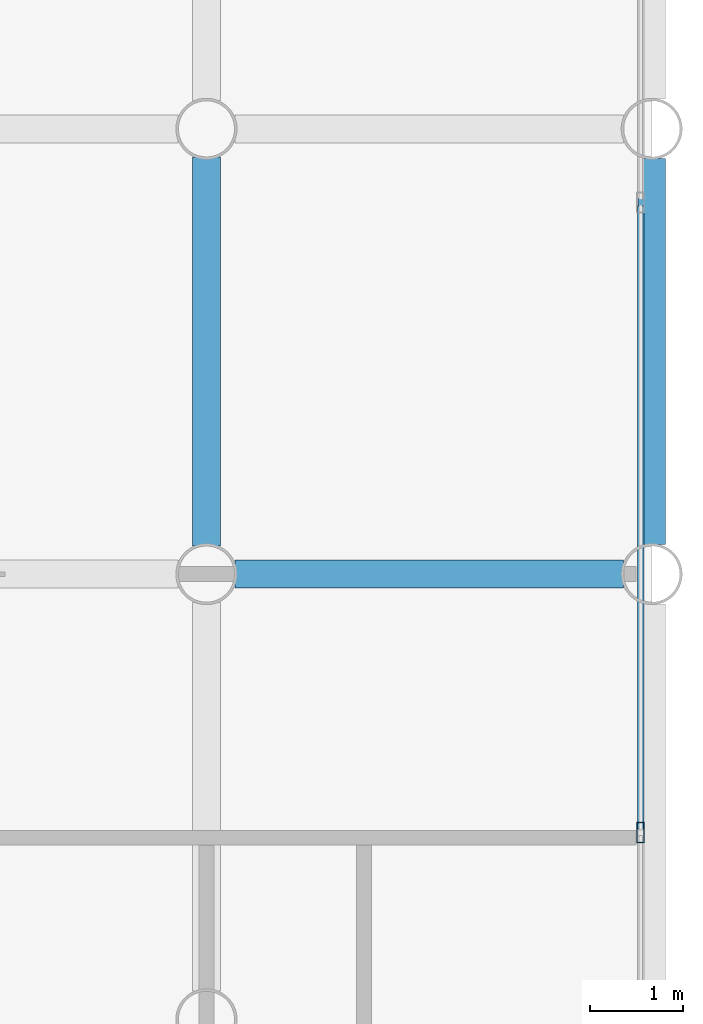
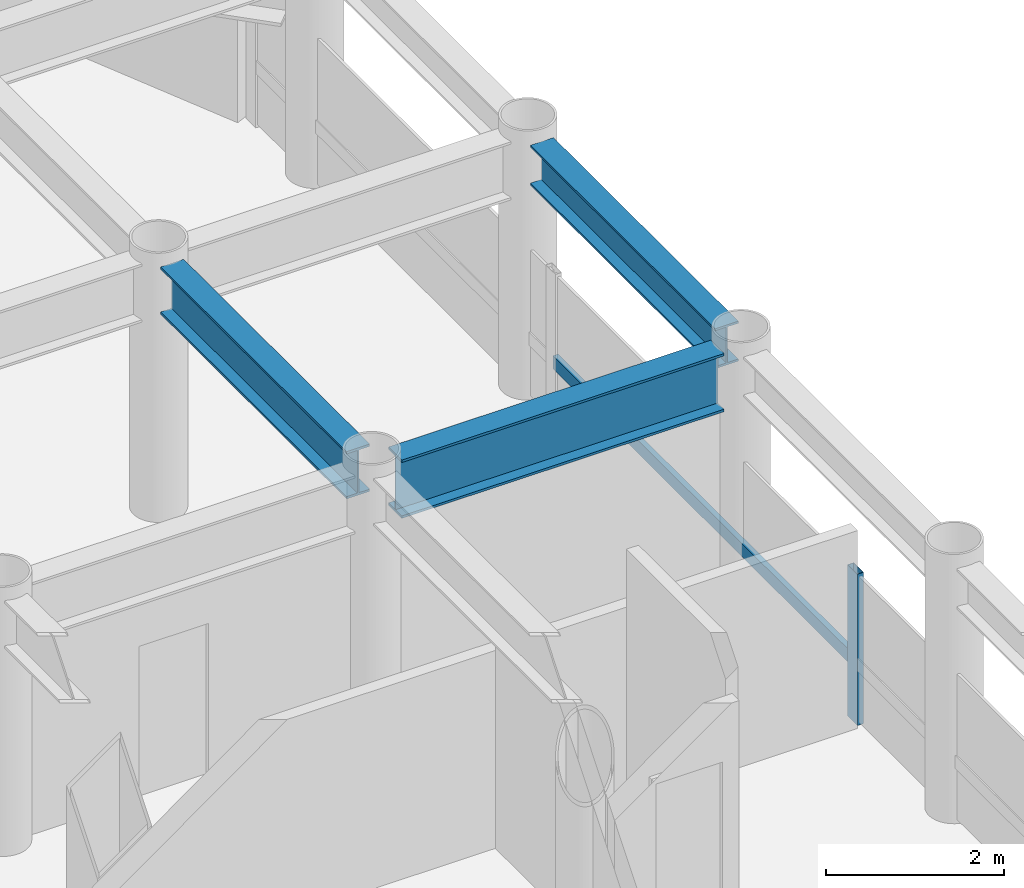
# One storey, part 10 of 22: 3 beams, 2 members, 1 element without a shape of its own.
"""IFC4 building model written with IfcOpenShell, lengths in metres."""

from ifc_helpers import new_model, si_unit, direction, frame, origin, origin_2d, place, context, subcontext, project, spatial, hollow_rectangle, i_section, extrude, material, layer, layer_set, material_profile, profile_set, type_object, element, aggregate, save


model = new_model("IFC4")

# Units and contexts
model_context = context("Model", 3, precision=1e-05, world=origin(), true_north=direction((0.0, 1.0)))
body_context = subcontext(model_context, "Body", "Model", "MODEL_VIEW")
ifc_project = project(units=[si_unit("LENGTHUNIT", "METRE"), si_unit("AREAUNIT", "SQUARE_METRE"), si_unit("VOLUMEUNIT", "CUBIC_METRE"), si_unit("PLANEANGLEUNIT", "RADIAN"), si_unit("MASSUNIT", "GRAM", prefix="KILO")], contexts=[model_context])

# Site, building, storey
site_placement = place(None, origin())
site = spatial("IfcSite", under=ifc_project, at=site_placement, CompositionType="ELEMENT")
building_placement = place(site_placement, origin())
building = spatial("IfcBuilding", under=site, at=building_placement, Name="Kallvorn Hotel Tower", CompositionType="ELEMENT")
storey_placement = place(building_placement, frame((0.0, 0.0, 113.699951171875)))
storey = spatial("IfcBuildingStorey", under=building, at=storey_placement, Name="L27", CompositionType="ELEMENT", Elevation=113.699951171875)

# Beams
ifc_material_1 = material(Name="Structural steel S355JR", Category="steel")
ifc_material_profile_1 = material_profile(ifc_material_1, i_section(OverallWidth=0.300048828125, OverallDepth=0.550048828125, WebThickness=0.014892578125, FlangeThickness=0.029052734375, at=origin_2d()), Name="HE 550 B")
ifc_profile_set_1 = profile_set([ifc_material_profile_1], Name="Structural steel S355JR")
beam_type_1 = type_object("IfcBeamType", Name="BM_HE550B", PredefinedType="SPANDREL", material=ifc_profile_set_1)
beam_1_placement = place(storey_placement, frame((33.60009765625, 9.919921875, 3.2451171875), z_axis=(0.0, 1.0, 0.0), x_axis=(-1.0, 0.0, 0.0)))
element("IfcBeam", 1, at=beam_1_placement, inside=storey, type_object=beam_type_1, Name="L28 Perimeter Spandrel 187", PredefinedType="SPANDREL", context=body_context, shape_type="SweptSolid", body=[
    extrude(i_section(OverallWidth=0.300048828125, OverallDepth=0.550048828125, WebThickness=0.014892578125, FlangeThickness=0.029052734375, at=origin_2d()), origin(), (0.0, 0.0, 1.0), 4.16015625),
])
ifc_material_2 = material(Name="Structural steel S355JR", Category="steel")
ifc_material_profile_2 = material_profile(ifc_material_2, i_section(OverallWidth=0.300048828125, OverallDepth=0.64990234375, WebThickness=0.01611328125, FlangeThickness=0.031005859375, at=origin_2d()), Name="HE 650 B")
ifc_profile_set_2 = profile_set([ifc_material_profile_2], Name="Structural steel S355JR")
beam_type_2 = type_object("IfcBeamType", Name="BM_HE650B", PredefinedType="BEAM", material=ifc_profile_set_2)
beam_2_placement = place(storey_placement, frame((28.800048828125, 9.905029296875, 3.195068359375), z_axis=(0.0, 1.0, 0.0), x_axis=(-1.0, 0.0, 0.0)))
element("IfcBeam", 2, at=beam_2_placement, inside=storey, type_object=beam_type_2, Name="L28 Primary Y-Girder 148", PredefinedType="BEAM", context=body_context, shape_type="SweptSolid", body=[
    extrude(i_section(OverallWidth=0.300048828125, OverallDepth=0.64990234375, WebThickness=0.01611328125, FlangeThickness=0.031005859375, at=origin_2d()), origin(), (0.0, 0.0, 1.0), 4.18994140625),
])
ifc_material_3 = material(Name="Structural steel S355JR", Category="steel")
ifc_material_profile_3 = material_profile(ifc_material_3, i_section(OverallWidth=0.300048828125, OverallDepth=0.800048828125, WebThickness=0.017578125, FlangeThickness=0.032958984375, at=origin_2d()), Name="HE 800 B")
ifc_profile_set_3 = profile_set([ifc_material_profile_3], Name="Structural steel S355JR")
beam_type_3 = type_object("IfcBeamType", Name="BM_HE800B", PredefinedType="BEAM", material=ifc_profile_set_3)
beam_3_placement = place(storey_placement, frame((29.10498046875, 9.60009765625, 3.1201171875), z_axis=(1.0, 0.0, 0.0), x_axis=(0.0, 1.0, 0.0)))
element("IfcBeam", 3, at=beam_3_placement, inside=storey, type_object=beam_type_3, Name="L28 Primary X-Girder 49", PredefinedType="BEAM", context=body_context, shape_type="SweptSolid", body=[
    extrude(i_section(OverallWidth=0.300048828125, OverallDepth=0.800048828125, WebThickness=0.017578125, FlangeThickness=0.032958984375, at=origin_2d()), origin(), (0.0, 0.0, 1.0), 4.18994140625),
])

# Curtain wall, members
ifc_material_4 = material(Name="Thermally broken black-anodised aluminium AA 6063-T6", Category="aluminium")
ifc_layer = layer(ifc_material_4, 0.199951171875)
ifc_layer_set = layer_set([ifc_layer], Name="CW_SYS_3_HOTEL_LOW")
curtain_wall_type = type_object("IfcCurtainWallType", Name="CW_SYS_3_HOTEL_LOW", PredefinedType="USERDEFINED", material=ifc_layer_set)
curtain_wall_placement = place(storey_placement, origin())
curtain_wall = element("IfcCurtainWall", 4, at=curtain_wall_placement, inside=storey, type_object=curtain_wall_type, Name="L27 Dark-Glass Curtain Wall CW-L27-EN", ObjectType="UNITISED CURTAIN WALL", PredefinedType="USERDEFINED")
ifc_material_5 = material(Name="Thermally broken black-anodised aluminium AA 6063-T6", Category="aluminium")
ifc_material_profile_4 = material_profile(ifc_material_5, hollow_rectangle(XDim=0.080078125, YDim=0.219970703125, WallThickness=0.0048828125, at=origin_2d()), Name="MUL 220x80")
ifc_profile_set_4 = profile_set([ifc_material_profile_4], Name="Thermally broken black-anodised aluminium AA 6063-T6")
member_type_1 = type_object("IfcMemberType", Name="CW_MULLION_220x80", PredefinedType="MULLION", material=ifc_profile_set_4)
member_1_placement = place(storey_placement, frame((33.47998046875, 6.813232421875, 0.02001953125), z_axis=(0.0, 0.0, 1.0), x_axis=(1.0, 0.0, 0.0)))
member_1 = element("IfcMember", 5, at=member_1_placement, type_object=member_type_1, Name="CW-L27-EN Mullion 01", PredefinedType="MULLION", context=body_context, shape_type="SweptSolid", body=[
    extrude(hollow_rectangle(XDim=0.080078125, YDim=0.219970703125, WallThickness=0.0048828125, at=origin_2d()), origin(), (0.0, 0.0, 1.0), 2.080078125),
])
ifc_material_6 = material(Name="Thermally broken black-anodised aluminium AA 6063-T6", Category="aluminium")
ifc_material_profile_5 = material_profile(ifc_material_6, hollow_rectangle(XDim=0.070068359375, YDim=0.179931640625, WallThickness=0.00390625, at=origin_2d()), Name="TRN 180x70")
ifc_profile_set_5 = profile_set([ifc_material_profile_5], Name="Thermally broken black-anodised aluminium AA 6063-T6")
member_type_2 = type_object("IfcMemberType", Name="CW_TRANSOM_180x70", PredefinedType="USERDEFINED", material=ifc_profile_set_5)
member_2_placement = place(storey_placement, frame((33.47998046875, 6.853271484375, 0.85009765625), z_axis=(0.0, 1.0, 0.0), x_axis=(-1.0, 0.0, 0.0)))
member_2 = element("IfcMember", 6, at=member_2_placement, type_object=member_type_2, Name="CW-L27-EN Transom 01M", ObjectType="TRANSOM", PredefinedType="USERDEFINED", context=body_context, shape_type="SweptSolid", body=[
    extrude(hollow_rectangle(XDim=0.070068359375, YDim=0.179931640625, WallThickness=0.00390625, at=origin_2d()), origin(), (0.0, 0.0, 1.0), 6.71337890625),
])
aggregate(curtain_wall, [member_1, member_2])

save(model, "model.ifc")
